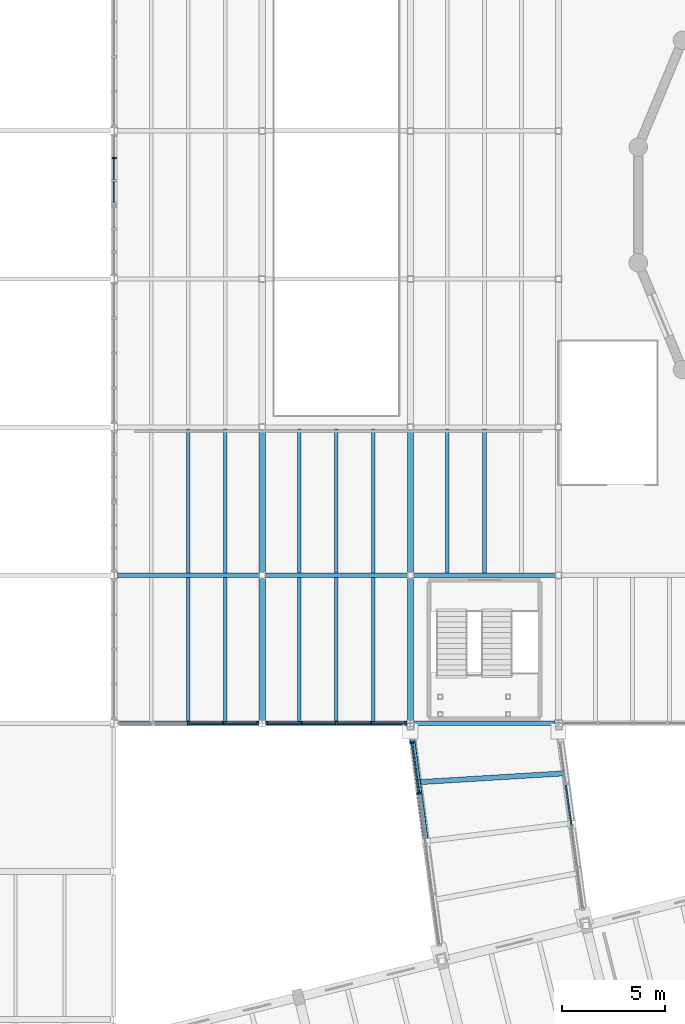
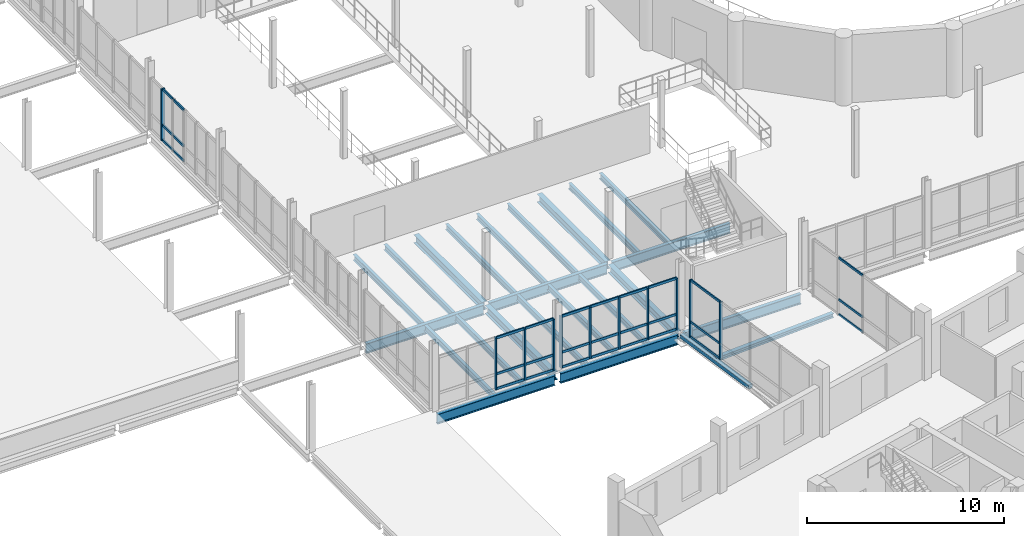
# One storey, part 20 of 72: 42 members, 23 beams, 5 elements without a shape of their own.
"""IFC4 building model written with IfcOpenShell, lengths in metres."""

from ifc_helpers import new_model, si_unit, direction, frame, origin, origin_2d, place, context, subcontext, project, spatial, rectangle, hollow_rectangle, i_section, extrude, material, material_profile, profile_set, type_object, element, aggregate, save


model = new_model("IFC4")

# Units and contexts
model_context = context("Model", 3, precision=1e-05, world=origin(), true_north=direction((0.0, 1.0)))
body_context = subcontext(model_context, "Body", "Model", "MODEL_VIEW")
ifc_project = project(units=[si_unit("LENGTHUNIT", "METRE"), si_unit("AREAUNIT", "SQUARE_METRE"), si_unit("VOLUMEUNIT", "CUBIC_METRE"), si_unit("PLANEANGLEUNIT", "RADIAN"), si_unit("MASSUNIT", "GRAM", prefix="KILO")], contexts=[model_context])

# Site, building, storey
site_placement = place(None, origin())
site = spatial("IfcSite", under=ifc_project, at=site_placement, CompositionType="ELEMENT")
building_placement = place(site_placement, origin())
building = spatial("IfcBuilding", under=site, at=building_placement, Name="Qiaolan Assembly House", CompositionType="ELEMENT")
storey_placement = place(building_placement, frame((0.0, 0.0, 10.199951171875)))
storey = spatial("IfcBuildingStorey", under=building, at=storey_placement, Name="L02", CompositionType="ELEMENT", Elevation=10.199951171875)

# Beams
ifc_material_1 = material(Name="Steel Q355B", Category="steel")
ifc_material_profile_1 = material_profile(ifc_material_1, i_section(OverallWidth=0.25, OverallDepth=0.25, WebThickness=0.009033203125, FlangeThickness=0.013916015625, FilletRadius=0.01611328125, at=origin_2d()), Name="HW 250x250x9x14")
ifc_profile_set_1 = profile_set([ifc_material_profile_1], Name="Steel Q355B")
beam_type_1 = type_object("IfcBeamType", Name="BM-BRIDGE-CROSS-HW250", PredefinedType="BEAM", material=ifc_profile_set_1)
beam_1_placement = place(storey_placement, frame((43.579345703125, 33.1396484375, -0.31494140625), z_axis=(0.998148100011, 0.060830670257, 0.0), x_axis=(-0.060830670257, 0.998148100011, 0.0)))
element("IfcBeam", 1, at=beam_1_placement, inside=storey, type_object=beam_type_1, Name="BGB-02 skybridge cross beam WB L02", PredefinedType="BEAM", context=body_context, shape_type="SweptSolid", body=[
    extrude(i_section(OverallWidth=0.25, OverallDepth=0.25, WebThickness=0.009033203125, FlangeThickness=0.013916015625, FilletRadius=0.01611328125, at=origin_2d()), origin(), (0.0, 0.0, 1.0), 7.159912109375),
])
ifc_material_profile_2 = material_profile(ifc_material_1, i_section(OverallWidth=0.300048828125, OverallDepth=0.5, WebThickness=0.010986328125, FlangeThickness=0.01806640625, FilletRadius=0.02001953125, at=origin_2d()), Name="HM 500x300x11x18")
ifc_profile_set_2 = profile_set([ifc_material_profile_2], Name="Steel Q355B")
beam_type_2 = type_object("IfcBeamType", Name="BM-STL-HM500", PredefinedType="BEAM", material=ifc_profile_set_2)
beam_2_placement = place(storey_placement, frame((36.0, 36.1650390625, -0.550048828125), z_axis=(0.0, 1.0, 0.0), x_axis=(-1.0, 0.0, 0.0)))
element("IfcBeam", 2, at=beam_2_placement, inside=storey, type_object=beam_type_2, Name="SB-15 beam BMY-HL-L02-02-00", PredefinedType="BEAM", context=body_context, shape_type="SweptSolid", body=[
    extrude(i_section(OverallWidth=0.300048828125, OverallDepth=0.5, WebThickness=0.010986328125, FlangeThickness=0.01806640625, FilletRadius=0.02001953125, at=origin_2d()), origin(), (0.0, 0.0, 1.0), 6.89501953125),
])
beam_3_placement = place(storey_placement, frame((36.0, 43.340087890625, -0.550048828125), z_axis=(0.0, 1.0, 0.0), x_axis=(-1.0, 0.0, 0.0)))
element("IfcBeam", 3, at=beam_3_placement, inside=storey, type_object=beam_type_2, Name="SB-15 beam BMY-HL-L02-02-01", PredefinedType="BEAM", context=body_context, shape_type="SweptSolid", body=[
    extrude(i_section(OverallWidth=0.300048828125, OverallDepth=0.5, WebThickness=0.010986328125, FlangeThickness=0.01806640625, FilletRadius=0.02001953125, at=origin_2d()), origin(), (0.0, 0.0, 1.0), 6.919921875),
])
beam_4_placement = place(storey_placement, frame((43.199951171875, 36.1650390625, -0.550048828125), z_axis=(0.0, 1.0, 0.0), x_axis=(-1.0, 0.0, 0.0)))
element("IfcBeam", 4, at=beam_4_placement, inside=storey, type_object=beam_type_2, Name="SB-15 beam BMY-HL-L02-03-00", PredefinedType="BEAM", context=body_context, shape_type="SweptSolid", body=[
    extrude(i_section(OverallWidth=0.300048828125, OverallDepth=0.5, WebThickness=0.010986328125, FlangeThickness=0.01806640625, FilletRadius=0.02001953125, at=origin_2d()), origin(), (0.0, 0.0, 1.0), 6.89501953125),
])
beam_5_placement = place(storey_placement, frame((43.199951171875, 43.340087890625, -0.550048828125), z_axis=(0.0, 1.0, 0.0), x_axis=(-1.0, 0.0, 0.0)))
element("IfcBeam", 5, at=beam_5_placement, inside=storey, type_object=beam_type_2, Name="SB-15 beam BMY-HL-L02-03-01", PredefinedType="BEAM", context=body_context, shape_type="SweptSolid", body=[
    extrude(i_section(OverallWidth=0.300048828125, OverallDepth=0.5, WebThickness=0.010986328125, FlangeThickness=0.01806640625, FilletRadius=0.02001953125, at=origin_2d()), origin(), (0.0, 0.0, 1.0), 6.919921875),
])
ifc_material_profile_3 = material_profile(ifc_material_1, i_section(OverallWidth=0.2099609375, OverallDepth=0.610107421875, WebThickness=0.010986328125, FlangeThickness=0.01806640625, FilletRadius=0.02001953125, at=origin_2d()), Name="HN 610x210x11x18")
ifc_profile_set_3 = profile_set([ifc_material_profile_3], Name="Steel Q355B")
beam_type_3 = type_object("IfcBeamType", Name="BM-STL-HN610", PredefinedType="BEAM", material=ifc_profile_set_3)
for number, where, z_axis, x_axis, name in (
    (6, (28.965087890625, 36.0, -0.60498046875), (1.0, 0.0, 0.0), (0.0, 1.0, 0.0), "SB-11 beam BMX-HL-L02-01-00"),
    (7, (36.1650390625, 36.0, -0.60498046875), (1.0, 0.0, 0.0), (0.0, 1.0, 0.0), "SB-11 beam BMX-HL-L02-02-00"),
):
    element("IfcBeam", number, at=place(storey_placement, frame(where, z_axis=z_axis, x_axis=x_axis)), inside=storey, type_object=beam_type_3, Name=name, PredefinedType="BEAM", context=body_context, shape_type="SweptSolid", body=[
        extrude(i_section(OverallWidth=0.2099609375, OverallDepth=0.610107421875, WebThickness=0.010986328125, FlangeThickness=0.01806640625, FilletRadius=0.02001953125, at=origin_2d()), origin(), (0.0, 0.0, 1.0), 6.869873046875),
    ])
beam_6_placement = place(storey_placement, frame((43.364990234375, 36.0, -0.60498046875), z_axis=(1.0, 0.0, 0.0), x_axis=(0.0, 1.0, 0.0)))
element("IfcBeam", 8, at=beam_6_placement, inside=storey, type_object=beam_type_3, Name="SB-11 beam BMX-HL-L02-03-00", PredefinedType="BEAM", context=body_context, shape_type="SweptSolid", body=[
    extrude(i_section(OverallWidth=0.2099609375, OverallDepth=0.610107421875, WebThickness=0.010986328125, FlangeThickness=0.01806640625, FilletRadius=0.02001953125, at=origin_2d()), origin(), (0.0, 0.0, 1.0), 6.8701171875),
])
beam_7_placement = place(storey_placement, frame((28.965087890625, 43.199951171875, -0.60498046875), z_axis=(1.0, 0.0, 0.0), x_axis=(0.0, 1.0, 0.0)))
element("IfcBeam", 9, at=beam_7_placement, inside=storey, type_object=beam_type_3, Name="SB-11 beam BMX-HL-L02-01-01", PredefinedType="BEAM", context=body_context, shape_type="SweptSolid", body=[
    extrude(i_section(OverallWidth=0.2099609375, OverallDepth=0.610107421875, WebThickness=0.010986328125, FlangeThickness=0.01806640625, FilletRadius=0.02001953125, at=origin_2d()), origin(), (0.0, 0.0, 1.0), 6.89501953125),
])
beam_8_placement = place(storey_placement, frame((36.139892578125, 43.199951171875, -0.60498046875), z_axis=(1.0, 0.0, 0.0), x_axis=(0.0, 1.0, 0.0)))
element("IfcBeam", 10, at=beam_8_placement, inside=storey, type_object=beam_type_3, Name="SB-11 beam BMX-HL-L02-02-01", PredefinedType="BEAM", context=body_context, shape_type="SweptSolid", body=[
    extrude(i_section(OverallWidth=0.2099609375, OverallDepth=0.610107421875, WebThickness=0.010986328125, FlangeThickness=0.01806640625, FilletRadius=0.02001953125, at=origin_2d()), origin(), (0.0, 0.0, 1.0), 6.920166015625),
])
beam_9_placement = place(storey_placement, frame((43.340087890625, 43.199951171875, -0.60498046875), z_axis=(1.0, 0.0, 0.0), x_axis=(0.0, 1.0, 0.0)))
element("IfcBeam", 11, at=beam_9_placement, inside=storey, type_object=beam_type_3, Name="SB-11 beam BMX-HL-L02-03-01", PredefinedType="BEAM", context=body_context, shape_type="SweptSolid", body=[
    extrude(i_section(OverallWidth=0.2099609375, OverallDepth=0.610107421875, WebThickness=0.010986328125, FlangeThickness=0.01806640625, FilletRadius=0.02001953125, at=origin_2d()), origin(), (0.0, 0.0, 1.0), 6.919921875),
])

# Curtain wall, members
ifc_material_2 = material(Name="Anodised bronze aluminium", Category="aluminium")
curtain_wall_type_1 = type_object("IfcCurtainWallType", Name="CW-BRIDGE-420", PredefinedType="NOTDEFINED", material=ifc_material_2)
curtain_wall_1_placement = place(storey_placement, origin())
curtain_wall_1 = element("IfcCurtainWall", 12, at=curtain_wall_1_placement, inside=storey, type_object=curtain_wall_type_1, Name="CW-03 Glazed Skybridge Curtain Wall WB L02 W", PredefinedType="NOTDEFINED")
ifc_material_profile_4 = material_profile(ifc_material_2, rectangle(XDim=0.077880859375, YDim=0.179931640625, at=origin_2d()), Name="MUL 78x180")
ifc_profile_set_4 = profile_set([ifc_material_profile_4], Name="Anodised bronze aluminium")
member_type_1 = type_object("IfcMemberType", Name="CW-BRIDGE-420-MUL", PredefinedType="MULLION", material=ifc_profile_set_4)
member_1_placement = place(storey_placement, frame((43.608642578125, 32.5986328125, 0.0), z_axis=(0.0, 0.0, 1.0), x_axis=(-0.134917653255, 0.990856814499, 0.0)))
member_1 = element("IfcMember", 13, at=member_1_placement, type_object=member_type_1, Name="ML-04 mullion CW-BRIDGE-WB-L02-W-4", PredefinedType="MULLION", context=body_context, shape_type="SweptSolid", body=[
    extrude(rectangle(XDim=0.077880859375, YDim=0.179931640625, at=origin_2d()), origin(), (0.0, 0.0, 1.0), 3.550048828125),
])
member_2_placement = place(storey_placement, frame((43.274169921875, 35.054931640625, 0.0), z_axis=(0.0, 0.0, 1.0), x_axis=(-0.134917653255, 0.990856814499, 0.0)))
member_2 = element("IfcMember", 14, at=member_2_placement, type_object=member_type_1, Name="ML-04 mullion CW-BRIDGE-WB-L02-W-5", PredefinedType="MULLION", context=body_context, shape_type="SweptSolid", body=[
    extrude(rectangle(XDim=0.077880859375, YDim=0.179931640625, at=origin_2d()), origin(), (0.0, 0.0, 1.0), 3.550048828125),
])
ifc_material_profile_5 = material_profile(ifc_material_2, rectangle(XDim=0.068115234375, YDim=0.139892578125, at=origin_2d()), Name="TRN 68x140")
ifc_profile_set_5 = profile_set([ifc_material_profile_5], Name="Anodised bronze aluminium")
member_type_2 = type_object("IfcMemberType", Name="CW-BRIDGE-420-TRN", PredefinedType="USERDEFINED", material=ifc_profile_set_5)
member_3_placement = place(storey_placement, frame((43.603515625, 32.637451171875, 0.030029296875), z_axis=(-0.134940765232, 0.990853667238, 0.0), x_axis=(-0.990853667238, -0.134940765232, 0.0)))
member_3 = element("IfcMember", 15, at=member_3_placement, type_object=member_type_2, Name="TR-04 transom CW-BRIDGE-WB-L02-W-4-1", ObjectType="TRANSOM", PredefinedType="USERDEFINED", context=body_context, shape_type="SweptSolid", body=[
    extrude(rectangle(XDim=0.068115234375, YDim=0.139892578125, at=origin_2d()), origin(), (0.0, 0.0, 1.0), 2.40087890625),
])
member_4_placement = place(storey_placement, frame((43.603515625, 32.637451171875, 0.949951171875), z_axis=(-0.134940765232, 0.990853667238, 0.0), x_axis=(-0.990853667238, -0.134940765232, 0.0)))
member_4 = element("IfcMember", 16, at=member_4_placement, type_object=member_type_2, Name="TR-04 transom CW-BRIDGE-WB-L02-W-4-2", ObjectType="TRANSOM", PredefinedType="USERDEFINED", context=body_context, shape_type="SweptSolid", body=[
    extrude(rectangle(XDim=0.068115234375, YDim=0.139892578125, at=origin_2d()), origin(), (0.0, 0.0, 1.0), 2.40087890625),
])
member_5_placement = place(storey_placement, frame((43.603515625, 32.637451171875, 3.52001953125), z_axis=(-0.134940765232, 0.990853667238, 0.0), x_axis=(-0.990853667238, -0.134940765232, 0.0)))
member_5 = element("IfcMember", 17, at=member_5_placement, type_object=member_type_2, Name="TR-04 transom CW-BRIDGE-WB-L02-W-4-3", ObjectType="TRANSOM", PredefinedType="USERDEFINED", context=body_context, shape_type="SweptSolid", body=[
    extrude(rectangle(XDim=0.068115234375, YDim=0.139892578125, at=origin_2d()), origin(), (0.0, 0.0, 1.0), 2.40087890625),
])
aggregate(curtain_wall_1, [member_1, member_2, member_3, member_4, member_5])

curtain_wall_2_placement = place(storey_placement, origin())
curtain_wall_2 = element("IfcCurtainWall", 18, at=curtain_wall_2_placement, inside=storey, type_object=curtain_wall_type_1, Name="CW-03 Glazed Skybridge Curtain Wall WB L02 E", PredefinedType="NOTDEFINED")
member_6_placement = place(storey_placement, frame((50.76123046875, 32.99560546875, 0.030029296875), z_axis=(0.137344605858, -0.990523325945, 0.0), x_axis=(0.990523325945, 0.137344605858, 0.0)))
member_6 = element("IfcMember", 19, at=member_6_placement, type_object=member_type_2, Name="TR-04 transom CW-BRIDGE-WB-L02-E-2-1", ObjectType="TRANSOM", PredefinedType="USERDEFINED", context=body_context, shape_type="SweptSolid", body=[
    extrude(rectangle(XDim=0.068115234375, YDim=0.139892578125, at=origin_2d()), origin(), (0.0, 0.0, 1.0), 1.96240234375),
])
member_7_placement = place(storey_placement, frame((50.76123046875, 32.99560546875, 0.949951171875), z_axis=(0.137344605858, -0.990523325945, 0.0), x_axis=(0.990523325945, 0.137344605858, 0.0)))
member_7 = element("IfcMember", 20, at=member_7_placement, type_object=member_type_2, Name="TR-04 transom CW-BRIDGE-WB-L02-E-2-2", ObjectType="TRANSOM", PredefinedType="USERDEFINED", context=body_context, shape_type="SweptSolid", body=[
    extrude(rectangle(XDim=0.068115234375, YDim=0.139892578125, at=origin_2d()), origin(), (0.0, 0.0, 1.0), 1.96240234375),
])
member_8_placement = place(storey_placement, frame((50.76123046875, 32.99560546875, 3.52001953125), z_axis=(0.137344605858, -0.990523325945, 0.0), x_axis=(0.990523325945, 0.137344605858, 0.0)))
member_8 = element("IfcMember", 21, at=member_8_placement, type_object=member_type_2, Name="TR-04 transom CW-BRIDGE-WB-L02-E-2-3", ObjectType="TRANSOM", PredefinedType="USERDEFINED", context=body_context, shape_type="SweptSolid", body=[
    extrude(rectangle(XDim=0.068115234375, YDim=0.139892578125, at=origin_2d()), origin(), (0.0, 0.0, 1.0), 1.96240234375),
])
aggregate(curtain_wall_2, [member_6, member_7, member_8])

# Curtain wall, member
curtain_wall_type_2 = type_object("IfcCurtainWallType", Name="CW-HALL-UPPER-480", PredefinedType="NOTDEFINED", material=ifc_material_2)
curtain_wall_3_placement = place(storey_placement, origin())
curtain_wall_3 = element("IfcCurtainWall", 22, at=curtain_wall_3_placement, inside=storey, type_object=curtain_wall_type_2, Name="CW-01 Hall West facade L02-3B", PredefinedType="NOTDEFINED")
ifc_material_profile_6 = material_profile(ifc_material_2, rectangle(XDim=0.0859375, YDim=0.199951171875, at=origin_2d()), Name="MUL 86x200")
ifc_profile_set_6 = profile_set([ifc_material_profile_6], Name="Anodised bronze aluminium")
member_type_3 = type_object("IfcMemberType", Name="CW-HALL-UPPER-480-MUL", PredefinedType="MULLION", material=ifc_profile_set_6)
member_9_placement = place(storey_placement, frame((28.800048828125, 63.47998046875, 0.0), z_axis=(0.0, 0.0, 1.0), x_axis=(0.0, 1.0, 0.0)))
member_9 = element("IfcMember", 23, at=member_9_placement, type_object=member_type_3, Name="ML-02 mullion CW-HALL-W-L02-3B-3", PredefinedType="MULLION", context=body_context, shape_type="SweptSolid", body=[
    extrude(rectangle(XDim=0.0859375, YDim=0.199951171875, at=origin_2d()), origin(), (0.0, 0.0, 1.0), 3.199951171875),
])

# Curtain wall, members
curtain_wall_4_placement = place(storey_placement, origin())
curtain_wall_4 = element("IfcCurtainWall", 24, at=curtain_wall_4_placement, inside=storey, type_object=curtain_wall_type_2, Name="CW-01 Hall South plaza curtain wall L02-1", PredefinedType="NOTDEFINED")
member_10_placement = place(storey_placement, frame((32.39990234375, 36.0, 0.0), z_axis=(0.0, 0.0, 1.0), x_axis=(1.0, 0.0, 0.0)))
member_10 = element("IfcMember", 25, at=member_10_placement, type_object=member_type_3, Name="ML-02 mullion CW-HALL-S-L02-00-3", PredefinedType="MULLION", context=body_context, shape_type="SweptSolid", body=[
    extrude(rectangle(XDim=0.0859375, YDim=0.199951171875, at=origin_2d()), origin(), (0.0, 0.0, 1.0), 3.199951171875),
])
member_11_placement = place(storey_placement, frame((34.090087890625, 36.0, 0.0), z_axis=(0.0, 0.0, 1.0), x_axis=(1.0, 0.0, 0.0)))
member_11 = element("IfcMember", 26, at=member_11_placement, type_object=member_type_3, Name="ML-02 mullion CW-HALL-S-L02-00-4", PredefinedType="MULLION", context=body_context, shape_type="SweptSolid", body=[
    extrude(rectangle(XDim=0.0859375, YDim=0.199951171875, at=origin_2d()), origin(), (0.0, 0.0, 1.0), 3.199951171875),
])
member_12_placement = place(storey_placement, frame((35.780029296875, 36.0, 0.0), z_axis=(0.0, 0.0, 1.0), x_axis=(1.0, 0.0, 0.0)))
member_12 = element("IfcMember", 27, at=member_12_placement, type_object=member_type_3, Name="ML-02 mullion CW-HALL-S-L02-00-5", PredefinedType="MULLION", context=body_context, shape_type="SweptSolid", body=[
    extrude(rectangle(XDim=0.0859375, YDim=0.199951171875, at=origin_2d()), origin(), (0.0, 0.0, 1.0), 3.199951171875),
])

curtain_wall_5_placement = place(storey_placement, origin())
curtain_wall_5 = element("IfcCurtainWall", 28, at=curtain_wall_5_placement, inside=storey, type_object=curtain_wall_type_2, Name="CW-01 Hall South plaza curtain wall L02-2", PredefinedType="NOTDEFINED")
member_13_placement = place(storey_placement, frame((36.219970703125, 36.0, 0.0), z_axis=(0.0, 0.0, 1.0), x_axis=(1.0, 0.0, 0.0)))
member_13 = element("IfcMember", 29, at=member_13_placement, type_object=member_type_3, Name="ML-02 mullion CW-HALL-S-L02-01-1", PredefinedType="MULLION", context=body_context, shape_type="SweptSolid", body=[
    extrude(rectangle(XDim=0.0859375, YDim=0.199951171875, at=origin_2d()), origin(), (0.0, 0.0, 1.0), 3.199951171875),
])
member_14_placement = place(storey_placement, frame((37.909912109375, 36.0, 0.0), z_axis=(0.0, 0.0, 1.0), x_axis=(1.0, 0.0, 0.0)))
member_14 = element("IfcMember", 30, at=member_14_placement, type_object=member_type_3, Name="ML-02 mullion CW-HALL-S-L02-01-2", PredefinedType="MULLION", context=body_context, shape_type="SweptSolid", body=[
    extrude(rectangle(XDim=0.0859375, YDim=0.199951171875, at=origin_2d()), origin(), (0.0, 0.0, 1.0), 3.199951171875),
])
member_15_placement = place(storey_placement, frame((39.60009765625, 36.0, 0.0), z_axis=(0.0, 0.0, 1.0), x_axis=(1.0, 0.0, 0.0)))
member_15 = element("IfcMember", 31, at=member_15_placement, type_object=member_type_3, Name="ML-02 mullion CW-HALL-S-L02-01-3", PredefinedType="MULLION", context=body_context, shape_type="SweptSolid", body=[
    extrude(rectangle(XDim=0.0859375, YDim=0.199951171875, at=origin_2d()), origin(), (0.0, 0.0, 1.0), 3.199951171875),
])
member_16_placement = place(storey_placement, frame((41.2900390625, 36.0, 0.0), z_axis=(0.0, 0.0, 1.0), x_axis=(1.0, 0.0, 0.0)))
member_16 = element("IfcMember", 32, at=member_16_placement, type_object=member_type_3, Name="ML-02 mullion CW-HALL-S-L02-01-4", PredefinedType="MULLION", context=body_context, shape_type="SweptSolid", body=[
    extrude(rectangle(XDim=0.0859375, YDim=0.199951171875, at=origin_2d()), origin(), (0.0, 0.0, 1.0), 3.199951171875),
])
member_17_placement = place(storey_placement, frame((42.97998046875, 36.0, 0.0), z_axis=(0.0, 0.0, 1.0), x_axis=(1.0, 0.0, 0.0)))
member_17 = element("IfcMember", 33, at=member_17_placement, type_object=member_type_3, Name="ML-02 mullion CW-HALL-S-L02-01-5", PredefinedType="MULLION", context=body_context, shape_type="SweptSolid", body=[
    extrude(rectangle(XDim=0.0859375, YDim=0.199951171875, at=origin_2d()), origin(), (0.0, 0.0, 1.0), 3.199951171875),
])

# Member
ifc_material_profile_7 = material_profile(ifc_material_2, rectangle(XDim=0.075927734375, YDim=0.14990234375, at=origin_2d()), Name="TRN 76x150")
ifc_profile_set_7 = profile_set([ifc_material_profile_7], Name="Anodised bronze aluminium")
member_type_4 = type_object("IfcMemberType", Name="CW-HALL-UPPER-480-TRN", PredefinedType="USERDEFINED", material=ifc_profile_set_7)
member_18_placement = place(storey_placement, frame((28.800048828125, 61.322998046875, 0.030029296875), z_axis=(0.0, 1.0, 0.0), x_axis=(-1.0, 0.0, 0.0)))
member_18 = element("IfcMember", 34, at=member_18_placement, type_object=member_type_4, Name="TR-02 transom CW-HALL-W-L02-3B-1-1", ObjectType="TRANSOM", PredefinedType="USERDEFINED", context=body_context, shape_type="SweptSolid", body=[
    extrude(rectangle(XDim=0.075927734375, YDim=0.14990234375, at=origin_2d()), origin(), (0.0, 0.0, 1.0), 1.013916015625),
])

member_19_placement = place(storey_placement, frame((28.800048828125, 61.322998046875, 0.949951171875), z_axis=(0.0, 1.0, 0.0), x_axis=(-1.0, 0.0, 0.0)))
member_19 = element("IfcMember", 35, at=member_19_placement, type_object=member_type_4, Name="TR-02 transom CW-HALL-W-L02-3B-1-2", ObjectType="TRANSOM", PredefinedType="USERDEFINED", context=body_context, shape_type="SweptSolid", body=[
    extrude(rectangle(XDim=0.075927734375, YDim=0.14990234375, at=origin_2d()), origin(), (0.0, 0.0, 1.0), 1.013916015625),
])

member_20_placement = place(storey_placement, frame((28.800048828125, 61.322998046875, 3.170166015625), z_axis=(0.0, 1.0, 0.0), x_axis=(-1.0, 0.0, 0.0)))
member_20 = element("IfcMember", 36, at=member_20_placement, type_object=member_type_4, Name="TR-02 transom CW-HALL-W-L02-3B-1-3", ObjectType="TRANSOM", PredefinedType="USERDEFINED", context=body_context, shape_type="SweptSolid", body=[
    extrude(rectangle(XDim=0.075927734375, YDim=0.14990234375, at=origin_2d()), origin(), (0.0, 0.0, 1.0), 1.013916015625),
])

member_21_placement = place(storey_placement, frame((28.800048828125, 62.423095703125, 0.030029296875), z_axis=(0.0, 1.0, 0.0), x_axis=(-1.0, 0.0, 0.0)))
member_21 = element("IfcMember", 37, at=member_21_placement, type_object=member_type_4, Name="TR-02 transom CW-HALL-W-L02-3B-2-1", ObjectType="TRANSOM", PredefinedType="USERDEFINED", context=body_context, shape_type="SweptSolid", body=[
    extrude(rectangle(XDim=0.075927734375, YDim=0.14990234375, at=origin_2d()), origin(), (0.0, 0.0, 1.0), 1.013916015625),
])

member_22_placement = place(storey_placement, frame((28.800048828125, 62.423095703125, 0.949951171875), z_axis=(0.0, 1.0, 0.0), x_axis=(-1.0, 0.0, 0.0)))
member_22 = element("IfcMember", 38, at=member_22_placement, type_object=member_type_4, Name="TR-02 transom CW-HALL-W-L02-3B-2-2", ObjectType="TRANSOM", PredefinedType="USERDEFINED", context=body_context, shape_type="SweptSolid", body=[
    extrude(rectangle(XDim=0.075927734375, YDim=0.14990234375, at=origin_2d()), origin(), (0.0, 0.0, 1.0), 1.013916015625),
])

member_23_placement = place(storey_placement, frame((28.800048828125, 62.423095703125, 3.170166015625), z_axis=(0.0, 1.0, 0.0), x_axis=(-1.0, 0.0, 0.0)))
member_23 = element("IfcMember", 39, at=member_23_placement, type_object=member_type_4, Name="TR-02 transom CW-HALL-W-L02-3B-2-3", ObjectType="TRANSOM", PredefinedType="USERDEFINED", context=body_context, shape_type="SweptSolid", body=[
    extrude(rectangle(XDim=0.075927734375, YDim=0.14990234375, at=origin_2d()), origin(), (0.0, 0.0, 1.0), 1.013916015625),
])

aggregate(curtain_wall_3, [member_9, member_18, member_19, member_20, member_21, member_22, member_23])

member_24_placement = place(storey_placement, frame((32.443115234375, 36.0, 0.030029296875), z_axis=(1.0, 0.0, 0.0), x_axis=(0.0, 1.0, 0.0)))
member_24 = element("IfcMember", 40, at=member_24_placement, type_object=member_type_4, Name="TR-02 transom CW-HALL-S-L02-00-3-1", ObjectType="TRANSOM", PredefinedType="USERDEFINED", context=body_context, shape_type="SweptSolid", body=[
    extrude(rectangle(XDim=0.075927734375, YDim=0.14990234375, at=origin_2d()), origin(), (0.0, 0.0, 1.0), 1.60400390625),
])

member_25_placement = place(storey_placement, frame((32.443115234375, 36.0, 0.949951171875), z_axis=(1.0, 0.0, 0.0), x_axis=(0.0, 1.0, 0.0)))
member_25 = element("IfcMember", 41, at=member_25_placement, type_object=member_type_4, Name="TR-02 transom CW-HALL-S-L02-00-3-2", ObjectType="TRANSOM", PredefinedType="USERDEFINED", context=body_context, shape_type="SweptSolid", body=[
    extrude(rectangle(XDim=0.075927734375, YDim=0.14990234375, at=origin_2d()), origin(), (0.0, 0.0, 1.0), 1.60400390625),
])

member_26_placement = place(storey_placement, frame((32.443115234375, 36.0, 3.170166015625), z_axis=(1.0, 0.0, 0.0), x_axis=(0.0, 1.0, 0.0)))
member_26 = element("IfcMember", 42, at=member_26_placement, type_object=member_type_4, Name="TR-02 transom CW-HALL-S-L02-00-3-3", ObjectType="TRANSOM", PredefinedType="USERDEFINED", context=body_context, shape_type="SweptSolid", body=[
    extrude(rectangle(XDim=0.075927734375, YDim=0.14990234375, at=origin_2d()), origin(), (0.0, 0.0, 1.0), 1.60400390625),
])

member_27_placement = place(storey_placement, frame((34.133056640625, 36.0, 0.030029296875), z_axis=(1.0, 0.0, 0.0), x_axis=(0.0, 1.0, 0.0)))
member_27 = element("IfcMember", 43, at=member_27_placement, type_object=member_type_4, Name="TR-02 transom CW-HALL-S-L02-00-4-1", ObjectType="TRANSOM", PredefinedType="USERDEFINED", context=body_context, shape_type="SweptSolid", body=[
    extrude(rectangle(XDim=0.075927734375, YDim=0.14990234375, at=origin_2d()), origin(), (0.0, 0.0, 1.0), 1.60400390625),
])

member_28_placement = place(storey_placement, frame((34.133056640625, 36.0, 0.949951171875), z_axis=(1.0, 0.0, 0.0), x_axis=(0.0, 1.0, 0.0)))
member_28 = element("IfcMember", 44, at=member_28_placement, type_object=member_type_4, Name="TR-02 transom CW-HALL-S-L02-00-4-2", ObjectType="TRANSOM", PredefinedType="USERDEFINED", context=body_context, shape_type="SweptSolid", body=[
    extrude(rectangle(XDim=0.075927734375, YDim=0.14990234375, at=origin_2d()), origin(), (0.0, 0.0, 1.0), 1.60400390625),
])

member_29_placement = place(storey_placement, frame((34.133056640625, 36.0, 3.170166015625), z_axis=(1.0, 0.0, 0.0), x_axis=(0.0, 1.0, 0.0)))
member_29 = element("IfcMember", 45, at=member_29_placement, type_object=member_type_4, Name="TR-02 transom CW-HALL-S-L02-00-4-3", ObjectType="TRANSOM", PredefinedType="USERDEFINED", context=body_context, shape_type="SweptSolid", body=[
    extrude(rectangle(XDim=0.075927734375, YDim=0.14990234375, at=origin_2d()), origin(), (0.0, 0.0, 1.0), 1.60400390625),
])

aggregate(curtain_wall_4, [member_10, member_11, member_12, member_24, member_25, member_26, member_27, member_28, member_29])

member_30_placement = place(storey_placement, frame((36.262939453125, 36.0, 0.030029296875), z_axis=(1.0, 0.0, 0.0), x_axis=(0.0, 1.0, 0.0)))
member_30 = element("IfcMember", 46, at=member_30_placement, type_object=member_type_4, Name="TR-02 transom CW-HALL-S-L02-01-1-1", ObjectType="TRANSOM", PredefinedType="USERDEFINED", context=body_context, shape_type="SweptSolid", body=[
    extrude(rectangle(XDim=0.075927734375, YDim=0.14990234375, at=origin_2d()), origin(), (0.0, 0.0, 1.0), 1.60400390625),
])

member_31_placement = place(storey_placement, frame((36.262939453125, 36.0, 0.949951171875), z_axis=(1.0, 0.0, 0.0), x_axis=(0.0, 1.0, 0.0)))
member_31 = element("IfcMember", 47, at=member_31_placement, type_object=member_type_4, Name="TR-02 transom CW-HALL-S-L02-01-1-2", ObjectType="TRANSOM", PredefinedType="USERDEFINED", context=body_context, shape_type="SweptSolid", body=[
    extrude(rectangle(XDim=0.075927734375, YDim=0.14990234375, at=origin_2d()), origin(), (0.0, 0.0, 1.0), 1.60400390625),
])

member_32_placement = place(storey_placement, frame((36.262939453125, 36.0, 3.170166015625), z_axis=(1.0, 0.0, 0.0), x_axis=(0.0, 1.0, 0.0)))
member_32 = element("IfcMember", 48, at=member_32_placement, type_object=member_type_4, Name="TR-02 transom CW-HALL-S-L02-01-1-3", ObjectType="TRANSOM", PredefinedType="USERDEFINED", context=body_context, shape_type="SweptSolid", body=[
    extrude(rectangle(XDim=0.075927734375, YDim=0.14990234375, at=origin_2d()), origin(), (0.0, 0.0, 1.0), 1.60400390625),
])

member_33_placement = place(storey_placement, frame((37.952880859375, 36.0, 0.030029296875), z_axis=(1.0, 0.0, 0.0), x_axis=(0.0, 1.0, 0.0)))
member_33 = element("IfcMember", 49, at=member_33_placement, type_object=member_type_4, Name="TR-02 transom CW-HALL-S-L02-01-2-1", ObjectType="TRANSOM", PredefinedType="USERDEFINED", context=body_context, shape_type="SweptSolid", body=[
    extrude(rectangle(XDim=0.075927734375, YDim=0.14990234375, at=origin_2d()), origin(), (0.0, 0.0, 1.0), 1.60400390625),
])

member_34_placement = place(storey_placement, frame((37.952880859375, 36.0, 0.949951171875), z_axis=(1.0, 0.0, 0.0), x_axis=(0.0, 1.0, 0.0)))
member_34 = element("IfcMember", 50, at=member_34_placement, type_object=member_type_4, Name="TR-02 transom CW-HALL-S-L02-01-2-2", ObjectType="TRANSOM", PredefinedType="USERDEFINED", context=body_context, shape_type="SweptSolid", body=[
    extrude(rectangle(XDim=0.075927734375, YDim=0.14990234375, at=origin_2d()), origin(), (0.0, 0.0, 1.0), 1.60400390625),
])

member_35_placement = place(storey_placement, frame((37.952880859375, 36.0, 3.170166015625), z_axis=(1.0, 0.0, 0.0), x_axis=(0.0, 1.0, 0.0)))
member_35 = element("IfcMember", 51, at=member_35_placement, type_object=member_type_4, Name="TR-02 transom CW-HALL-S-L02-01-2-3", ObjectType="TRANSOM", PredefinedType="USERDEFINED", context=body_context, shape_type="SweptSolid", body=[
    extrude(rectangle(XDim=0.075927734375, YDim=0.14990234375, at=origin_2d()), origin(), (0.0, 0.0, 1.0), 1.60400390625),
])

member_36_placement = place(storey_placement, frame((39.64306640625, 36.0, 0.030029296875), z_axis=(1.0, 0.0, 0.0), x_axis=(0.0, 1.0, 0.0)))
member_36 = element("IfcMember", 52, at=member_36_placement, type_object=member_type_4, Name="TR-02 transom CW-HALL-S-L02-01-3-1", ObjectType="TRANSOM", PredefinedType="USERDEFINED", context=body_context, shape_type="SweptSolid", body=[
    extrude(rectangle(XDim=0.075927734375, YDim=0.14990234375, at=origin_2d()), origin(), (0.0, 0.0, 1.0), 1.60400390625),
])

member_37_placement = place(storey_placement, frame((39.64306640625, 36.0, 0.949951171875), z_axis=(1.0, 0.0, 0.0), x_axis=(0.0, 1.0, 0.0)))
member_37 = element("IfcMember", 53, at=member_37_placement, type_object=member_type_4, Name="TR-02 transom CW-HALL-S-L02-01-3-2", ObjectType="TRANSOM", PredefinedType="USERDEFINED", context=body_context, shape_type="SweptSolid", body=[
    extrude(rectangle(XDim=0.075927734375, YDim=0.14990234375, at=origin_2d()), origin(), (0.0, 0.0, 1.0), 1.60400390625),
])

member_38_placement = place(storey_placement, frame((39.64306640625, 36.0, 3.170166015625), z_axis=(1.0, 0.0, 0.0), x_axis=(0.0, 1.0, 0.0)))
member_38 = element("IfcMember", 54, at=member_38_placement, type_object=member_type_4, Name="TR-02 transom CW-HALL-S-L02-01-3-3", ObjectType="TRANSOM", PredefinedType="USERDEFINED", context=body_context, shape_type="SweptSolid", body=[
    extrude(rectangle(XDim=0.075927734375, YDim=0.14990234375, at=origin_2d()), origin(), (0.0, 0.0, 1.0), 1.60400390625),
])

member_39_placement = place(storey_placement, frame((41.3330078125, 36.0, 0.030029296875), z_axis=(1.0, 0.0, 0.0), x_axis=(0.0, 1.0, 0.0)))
member_39 = element("IfcMember", 55, at=member_39_placement, type_object=member_type_4, Name="TR-02 transom CW-HALL-S-L02-01-4-1", ObjectType="TRANSOM", PredefinedType="USERDEFINED", context=body_context, shape_type="SweptSolid", body=[
    extrude(rectangle(XDim=0.075927734375, YDim=0.14990234375, at=origin_2d()), origin(), (0.0, 0.0, 1.0), 1.60400390625),
])

member_40_placement = place(storey_placement, frame((41.3330078125, 36.0, 0.949951171875), z_axis=(1.0, 0.0, 0.0), x_axis=(0.0, 1.0, 0.0)))
member_40 = element("IfcMember", 56, at=member_40_placement, type_object=member_type_4, Name="TR-02 transom CW-HALL-S-L02-01-4-2", ObjectType="TRANSOM", PredefinedType="USERDEFINED", context=body_context, shape_type="SweptSolid", body=[
    extrude(rectangle(XDim=0.075927734375, YDim=0.14990234375, at=origin_2d()), origin(), (0.0, 0.0, 1.0), 1.60400390625),
])

member_41_placement = place(storey_placement, frame((41.3330078125, 36.0, 3.170166015625), z_axis=(1.0, 0.0, 0.0), x_axis=(0.0, 1.0, 0.0)))
member_41 = element("IfcMember", 57, at=member_41_placement, type_object=member_type_4, Name="TR-02 transom CW-HALL-S-L02-01-4-3", ObjectType="TRANSOM", PredefinedType="USERDEFINED", context=body_context, shape_type="SweptSolid", body=[
    extrude(rectangle(XDim=0.075927734375, YDim=0.14990234375, at=origin_2d()), origin(), (0.0, 0.0, 1.0), 1.60400390625),
])

aggregate(curtain_wall_5, [member_13, member_14, member_15, member_16, member_17, member_30, member_31, member_32, member_33, member_34, member_35, member_36, member_37, member_38, member_39, member_40, member_41])

# Beams
ifc_material_profile_8 = material_profile(ifc_material_1, i_section(OverallWidth=0.179931640625, OverallDepth=0.35498046875, WebThickness=0.007568359375, FlangeThickness=0.011474609375, FilletRadius=0.013916015625, at=origin_2d()), Name="HM 355x180x7.5x11.5")
ifc_profile_set_8 = profile_set([ifc_material_profile_8], Name="Steel Q355B")
beam_type_4 = type_object("IfcBeamType", Name="JST-STL-HM355", PredefinedType="JOIST", material=ifc_profile_set_8)
for number, where, z_axis, x_axis, name in (
    (58, (32.39990234375, 36.09912109375, -0.4775390625), (0.0, 1.0, 0.0), (-1.0, 0.0, 0.0), "SJ-04 beam JST-HL-L02-01-00-2"),
    (59, (34.199951171875, 36.09912109375, -0.4775390625), (0.0, 1.0, 0.0), (-1.0, 0.0, 0.0), "SJ-04 beam JST-HL-L02-01-00-3"),
    (60, (32.39990234375, 43.299072265625, -0.4775390625), (0.0, 1.0, 0.0), (-1.0, 0.0, 0.0), "SJ-04 beam JST-HL-L02-01-01-2"),
    (61, (34.199951171875, 43.299072265625, -0.4775390625), (0.0, 1.0, 0.0), (-1.0, 0.0, 0.0), "SJ-04 beam JST-HL-L02-01-01-3"),
    (62, (37.800048828125, 36.09912109375, -0.4775390625), (0.0, 1.0, 0.0), (-1.0, 0.0, 0.0), "SJ-04 beam JST-HL-L02-02-00-1"),
    (63, (39.60009765625, 36.09912109375, -0.4775390625), (0.0, 1.0, 0.0), (-1.0, 0.0, 0.0), "SJ-04 beam JST-HL-L02-02-00-2"),
    (64, (41.39990234375, 36.09912109375, -0.4775390625), (0.0, 1.0, 0.0), (-1.0, 0.0, 0.0), "SJ-04 beam JST-HL-L02-02-00-3"),
    (65, (37.800048828125, 43.299072265625, -0.4775390625), (0.0, 1.0, 0.0), (-1.0, 0.0, 0.0), "SJ-04 beam JST-HL-L02-02-01-1"),
    (66, (39.60009765625, 43.299072265625, -0.4775390625), (0.0, 1.0, 0.0), (-1.0, 0.0, 0.0), "SJ-04 beam JST-HL-L02-02-01-2"),
    (67, (41.39990234375, 43.299072265625, -0.4775390625), (0.0, 1.0, 0.0), (-1.0, 0.0, 0.0), "SJ-04 beam JST-HL-L02-02-01-3"),
    (68, (45.0, 43.299072265625, -0.4775390625), (0.0, 1.0, 0.0), (-1.0, 0.0, 0.0), "SJ-04 beam JST-HL-L02-03-01-1"),
    (69, (46.800048828125, 43.299072265625, -0.4775390625), (0.0, 1.0, 0.0), (-1.0, 0.0, 0.0), "SJ-04 beam JST-HL-L02-03-01-2"),
):
    element("IfcBeam", number, at=place(storey_placement, frame(where, z_axis=z_axis, x_axis=x_axis)), inside=storey, type_object=beam_type_4, Name=name, PredefinedType="JOIST", context=body_context, shape_type="SweptSolid", body=[
        extrude(i_section(OverallWidth=0.179931640625, OverallDepth=0.35498046875, WebThickness=0.007568359375, FlangeThickness=0.011474609375, FilletRadius=0.013916015625, at=origin_2d()), origin(), (0.0, 0.0, 1.0), 7.001953125),
    ])

# Member
ifc_material_profile_9 = material_profile(ifc_material_1, hollow_rectangle(XDim=0.25, YDim=0.25, WallThickness=0.010009765625, InnerFilletRadius=0.010009765625, OuterFilletRadius=0.02001953125, at=origin_2d()), Name="SHS 250x250x10")
ifc_profile_set_9 = profile_set([ifc_material_profile_9], Name="Steel Q355B")
member_type_5 = type_object("IfcMemberType", Name="MBR-BRACE-BRIDGE-SHS250", PredefinedType="BRACE", material=ifc_profile_set_9)
member_42_placement = place(storey_placement, frame((43.968017578125, 30.2099609375, -0.364990234375), z_axis=(-0.131473621264, 0.991319669386, 0.0), x_axis=(-0.991319669386, -0.131473621264, 0.0)))
element("IfcMember", 70, at=member_42_placement, inside=storey, type_object=member_type_5, Name="BR-03 skybridge brace WB L02", PredefinedType="BRACE", context=body_context, shape_type="SweptSolid", body=[
    extrude(hollow_rectangle(XDim=0.25, YDim=0.25, WallThickness=0.010009765625, InnerFilletRadius=0.010009765625, OuterFilletRadius=0.02001953125, at=origin_2d()), origin(), (0.0, 0.0, 1.0), 5.700927734375),
])

save(model, "model.ifc")
